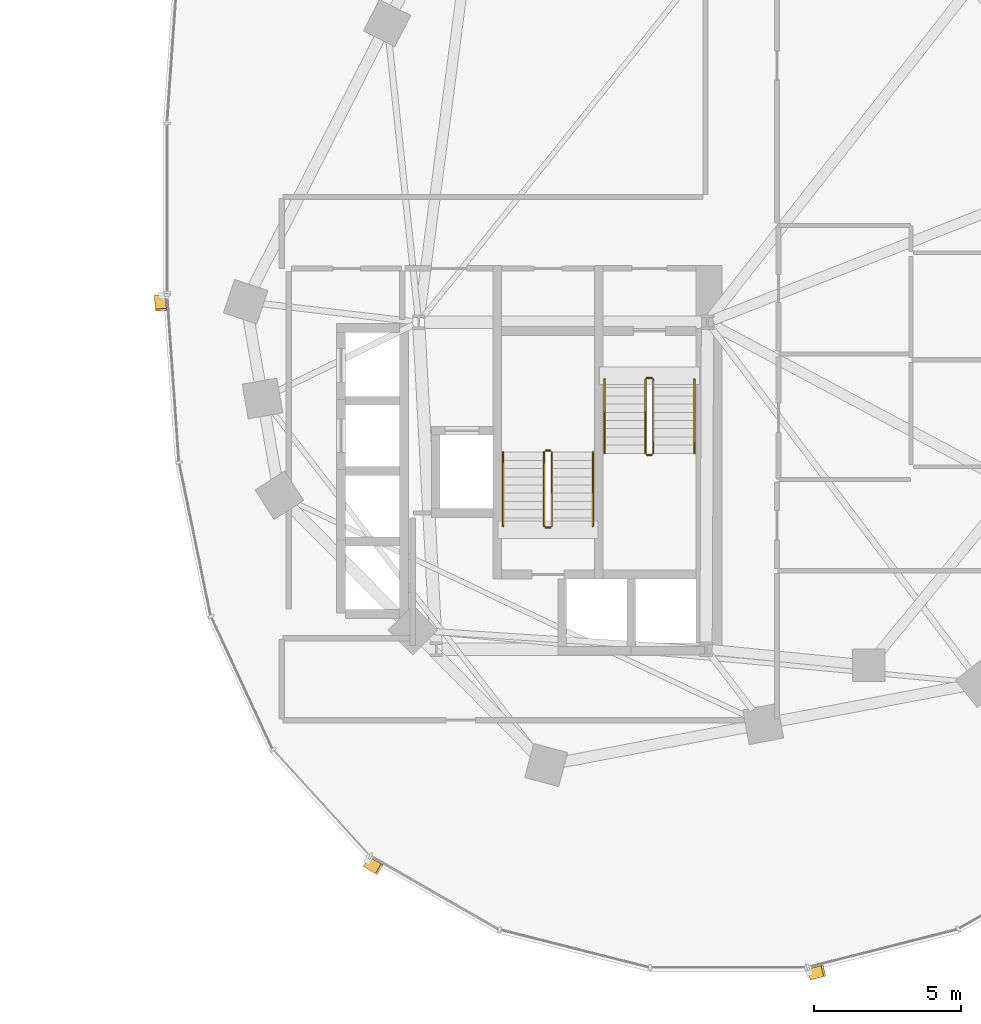
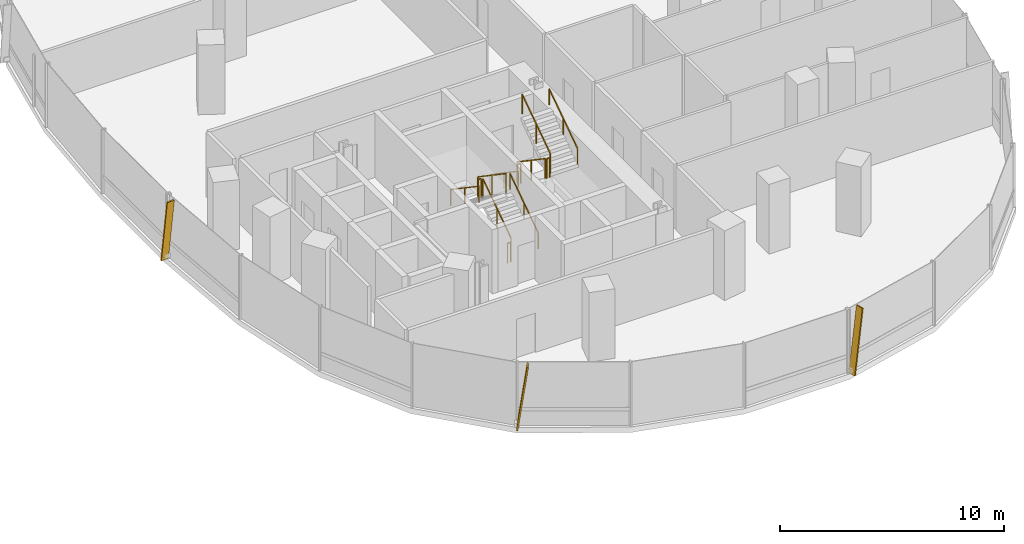
# One storey, part 20 of 21: 12 railings, 3 shading devices.
"""IFC4 building model written with IfcOpenShell, lengths in metres."""

from ifc_helpers import new_model, si_unit, direction, frame, origin, origin_2d, place, context, subcontext, project, spatial, rectangle, extrude, material, material_profile, profile_set, type_object, element, save


model = new_model("IFC4")

# Units and contexts
model_context = context("Model", 3, precision=1e-05, world=origin(), true_north=direction((0.0, 1.0)))
body_context = subcontext(model_context, "Body", "Model", "MODEL_VIEW")
ifc_project = project(units=[si_unit("LENGTHUNIT", "METRE"), si_unit("AREAUNIT", "SQUARE_METRE"), si_unit("VOLUMEUNIT", "CUBIC_METRE"), si_unit("PLANEANGLEUNIT", "RADIAN"), si_unit("MASSUNIT", "GRAM", prefix="KILO"), si_unit("THERMODYNAMICTEMPERATUREUNIT", "KELVIN"), si_unit("POWERUNIT", "WATT")], contexts=[model_context])

# Site, building, storey
site_placement = place(None, origin())
site = spatial("IfcSite", under=ifc_project, at=site_placement, CompositionType="ELEMENT")
building_placement = place(site_placement, origin())
building = spatial("IfcBuilding", under=site, at=building_placement, Name="Cundina Bronze Exchange", CompositionType="ELEMENT")
storey_placement = place(building_placement, frame((0.0, 0.0, 54.39990234375)))
storey = spatial("IfcBuildingStorey", under=building, at=storey_placement, Name="L13", CompositionType="ELEMENT", Elevation=54.39990234375)

# Railings
ifc_material_1 = material(Name="Steel ASTM A36 Painted", Category="steel")
railing_type_1 = type_object("IfcRailingType", Name="RLG-HND-900", PredefinedType="HANDRAIL", material=ifc_material_1)
railing_1_placement = place(storey_placement, frame((27.7900390625, -5.85009765625, 0.190185546875)))
element("IfcRailing", 1, at=railing_1_placement, inside=storey, type_object=railing_type_1, Name="L13 ST-E1 stair handrail 1", PredefinedType="HANDRAIL", context=body_context, shape_type="SweptSolid", body=[
    extrude(rectangle(XDim=0.048095703125, YDim=0.048095703125, at=origin_2d()), frame((0.0, 0.0, 0.8759765625), z_axis=(0.0, -0.827483756001, 0.561489655786), x_axis=(1.0, 0.0, 0.0)), (0.0, 0.0, 1.0), 3.04541015625),
    extrude(rectangle(XDim=0.0419921875, YDim=0.0419921875, at=origin_2d()), origin(), (0.0, 0.0, 1.0), 0.851806640625),
    extrude(rectangle(XDim=0.0419921875, YDim=0.0419921875, at=origin_2d()), frame((0.0, -1.260009765625, 0.85498046875)), (0.0, 0.0, 1.0), 0.851806640625),
    extrude(rectangle(XDim=0.0419921875, YDim=0.0419921875, at=origin_2d()), frame((0.0, -2.52001953125, 1.7099609375)), (0.0, 0.0, 1.0), 0.851806640625),
])
for number, where, name in (
    (2, (30.85009765625, -8.3701171875, 2.090087890625), "L13 ST-E1 stair handrail 2"),
    (3, (27.389892578125, -10.85009765625, 0.190185546875), "L13 ST-E2 stair handrail 1"),
):
    element("IfcRailing", number, at=place(storey_placement, frame(where)), inside=storey, type_object=railing_type_1, Name=name, PredefinedType="HANDRAIL", context=body_context, shape_type="SweptSolid", body=[
        extrude(rectangle(XDim=0.048095703125, YDim=0.048095703125, at=origin_2d()), frame((0.0, 0.0, 0.8759765625), z_axis=(0.0, 0.827483756001, 0.561489655786), x_axis=(-1.0, 0.0, 0.0)), (0.0, 0.0, 1.0), 3.04541015625),
        extrude(rectangle(XDim=0.0419921875, YDim=0.0419921875, at=origin_2d()), origin(), (0.0, 0.0, 1.0), 0.851806640625),
        extrude(rectangle(XDim=0.0419921875, YDim=0.0419921875, at=origin_2d()), frame((0.0, 1.260009765625, 0.85498046875)), (0.0, 0.0, 1.0), 0.851806640625),
        extrude(rectangle(XDim=0.0419921875, YDim=0.0419921875, at=origin_2d()), frame((0.0, 2.52001953125, 1.7099609375)), (0.0, 0.0, 1.0), 0.851806640625),
    ])
railing_2_placement = place(storey_placement, frame((24.330078125, -8.330078125, 2.090087890625)))
element("IfcRailing", 4, at=railing_2_placement, inside=storey, type_object=railing_type_1, Name="L13 ST-E2 stair handrail 2", PredefinedType="HANDRAIL", context=body_context, shape_type="SweptSolid", body=[
    extrude(rectangle(XDim=0.048095703125, YDim=0.048095703125, at=origin_2d()), frame((0.0, 0.0, 0.8759765625), z_axis=(0.0, -0.827483756001, 0.561489655786), x_axis=(1.0, 0.0, 0.0)), (0.0, 0.0, 1.0), 3.04541015625),
    extrude(rectangle(XDim=0.0419921875, YDim=0.0419921875, at=origin_2d()), origin(), (0.0, 0.0, 1.0), 0.851806640625),
    extrude(rectangle(XDim=0.0419921875, YDim=0.0419921875, at=origin_2d()), frame((0.0, -1.260009765625, 0.85498046875)), (0.0, 0.0, 1.0), 0.851806640625),
    extrude(rectangle(XDim=0.0419921875, YDim=0.0419921875, at=origin_2d()), frame((0.0, -2.52001953125, 1.7099609375)), (0.0, 0.0, 1.0), 0.851806640625),
])
railing_type_2 = type_object("IfcRailingType", Name="RLG-STG-1100", PredefinedType="GUARDRAIL", material=ifc_material_1)
railing_3_placement = place(storey_placement, frame((29.18994140625, -5.85009765625, 0.190185546875)))
element("IfcRailing", 5, at=railing_3_placement, inside=storey, type_object=railing_type_2, Name="L13 ST-E1 stair guard 1", PredefinedType="GUARDRAIL", context=body_context, shape_type="SweptSolid", body=[
    extrude(rectangle(XDim=0.048095703125, YDim=0.048095703125, at=origin_2d()), frame((0.0, 0.0, 1.076171875), z_axis=(0.0, -0.827483756001, 0.561489655786), x_axis=(1.0, 0.0, 0.0)), (0.0, 0.0, 1.0), 3.04541015625),
    extrude(rectangle(XDim=0.0419921875, YDim=0.0419921875, at=origin_2d()), origin(), (0.0, 0.0, 1.0), 1.052001953125),
    extrude(rectangle(XDim=0.0419921875, YDim=0.0419921875, at=origin_2d()), frame((0.0, -1.260009765625, 0.85498046875)), (0.0, 0.0, 1.0), 1.052001953125),
    extrude(rectangle(XDim=0.0419921875, YDim=0.0419921875, at=origin_2d()), frame((0.0, -2.52001953125, 1.7099609375)), (0.0, 0.0, 1.0), 1.052001953125),
])
railing_4_placement = place(storey_placement, frame((29.239990234375, -8.419921875, 1.900146484375)))
element("IfcRailing", 6, at=railing_4_placement, inside=storey, type_object=railing_type_2, Name="L13 ST-E1 stair guard 2", PredefinedType="GUARDRAIL", context=body_context, shape_type="SweptSolid", body=[
    extrude(rectangle(XDim=0.048095703125, YDim=0.048095703125, at=origin_2d()), frame((0.0, 0.0, 1.076171875), z_axis=(1.0, 0.0, 0.0), x_axis=(0.0, 1.0, 0.0)), (0.0, 0.0, 1.0), 0.159912109375),
    extrude(rectangle(XDim=0.0419921875, YDim=0.0419921875, at=origin_2d()), origin(), (0.0, 0.0, 1.0), 1.052001953125),
    extrude(rectangle(XDim=0.0419921875, YDim=0.0419921875, at=origin_2d()), frame((0.159912109375, 0.0, 0.0)), (0.0, 0.0, 1.0), 1.052001953125),
])
railing_5_placement = place(storey_placement, frame((29.449951171875, -8.3701171875, 2.090087890625)))
element("IfcRailing", 7, at=railing_5_placement, inside=storey, type_object=railing_type_2, Name="L13 ST-E1 stair guard 3", PredefinedType="GUARDRAIL", context=body_context, shape_type="SweptSolid", body=[
    extrude(rectangle(XDim=0.048095703125, YDim=0.048095703125, at=origin_2d()), frame((0.0, 0.0, 1.076171875), z_axis=(0.0, 0.827483756001, 0.561489655786), x_axis=(-1.0, 0.0, 0.0)), (0.0, 0.0, 1.0), 3.04541015625),
    extrude(rectangle(XDim=0.0419921875, YDim=0.0419921875, at=origin_2d()), origin(), (0.0, 0.0, 1.0), 1.052001953125),
    extrude(rectangle(XDim=0.0419921875, YDim=0.0419921875, at=origin_2d()), frame((0.0, 1.260009765625, 0.85498046875)), (0.0, 0.0, 1.0), 1.052001953125),
    extrude(rectangle(XDim=0.0419921875, YDim=0.0419921875, at=origin_2d()), frame((0.0, 2.52001953125, 1.7099609375)), (0.0, 0.0, 1.0), 1.052001953125),
])
railing_6_placement = place(storey_placement, frame((29.239990234375, -5.800048828125, 0.0)))
element("IfcRailing", 8, at=railing_6_placement, inside=storey, type_object=railing_type_2, Name="L13 ST-E1 stair guard 4", PredefinedType="GUARDRAIL", context=body_context, shape_type="SweptSolid", body=[
    extrude(rectangle(XDim=0.048095703125, YDim=0.048095703125, at=origin_2d()), frame((0.0, 0.0, 1.076171875), z_axis=(1.0, 0.0, 0.0), x_axis=(0.0, 1.0, 0.0)), (0.0, 0.0, 1.0), 0.159912109375),
    extrude(rectangle(XDim=0.0419921875, YDim=0.0419921875, at=origin_2d()), origin(), (0.0, 0.0, 1.0), 1.052001953125),
    extrude(rectangle(XDim=0.0419921875, YDim=0.0419921875, at=origin_2d()), frame((0.159912109375, 0.0, 0.0)), (0.0, 0.0, 1.0), 1.052001953125),
])
railing_7_placement = place(storey_placement, frame((25.989990234375, -10.85009765625, 0.190185546875)))
element("IfcRailing", 9, at=railing_7_placement, inside=storey, type_object=railing_type_2, Name="L13 ST-E2 stair guard 1", PredefinedType="GUARDRAIL", context=body_context, shape_type="SweptSolid", body=[
    extrude(rectangle(XDim=0.048095703125, YDim=0.048095703125, at=origin_2d()), frame((0.0, 0.0, 1.076171875), z_axis=(0.0, 0.827483756001, 0.561489655786), x_axis=(-1.0, 0.0, 0.0)), (0.0, 0.0, 1.0), 3.04541015625),
    extrude(rectangle(XDim=0.0419921875, YDim=0.0419921875, at=origin_2d()), origin(), (0.0, 0.0, 1.0), 1.052001953125),
    extrude(rectangle(XDim=0.0419921875, YDim=0.0419921875, at=origin_2d()), frame((0.0, 1.260009765625, 0.85498046875)), (0.0, 0.0, 1.0), 1.052001953125),
    extrude(rectangle(XDim=0.0419921875, YDim=0.0419921875, at=origin_2d()), frame((0.0, 2.52001953125, 1.7099609375)), (0.0, 0.0, 1.0), 1.052001953125),
])
railing_8_placement = place(storey_placement, frame((25.93994140625, -8.280029296875, 1.900146484375)))
element("IfcRailing", 10, at=railing_8_placement, inside=storey, type_object=railing_type_2, Name="L13 ST-E2 stair guard 2", PredefinedType="GUARDRAIL", context=body_context, shape_type="SweptSolid", body=[
    extrude(rectangle(XDim=0.048095703125, YDim=0.048095703125, at=origin_2d()), frame((0.0, 0.0, 1.076171875), z_axis=(-1.0, 0.0, 0.0), x_axis=(0.0, -1.0, 0.0)), (0.0, 0.0, 1.0), 0.159912109375),
    extrude(rectangle(XDim=0.0419921875, YDim=0.0419921875, at=origin_2d()), origin(), (0.0, 0.0, 1.0), 1.052001953125),
    extrude(rectangle(XDim=0.0419921875, YDim=0.0419921875, at=origin_2d()), frame((-0.159912109375, 0.0, 0.0)), (0.0, 0.0, 1.0), 1.052001953125),
])
railing_9_placement = place(storey_placement, frame((25.72998046875, -8.330078125, 2.090087890625)))
element("IfcRailing", 11, at=railing_9_placement, inside=storey, type_object=railing_type_2, Name="L13 ST-E2 stair guard 3", PredefinedType="GUARDRAIL", context=body_context, shape_type="SweptSolid", body=[
    extrude(rectangle(XDim=0.048095703125, YDim=0.048095703125, at=origin_2d()), frame((0.0, 0.0, 1.076171875), z_axis=(0.0, -0.827483756001, 0.561489655786), x_axis=(1.0, 0.0, 0.0)), (0.0, 0.0, 1.0), 3.04541015625),
    extrude(rectangle(XDim=0.0419921875, YDim=0.0419921875, at=origin_2d()), origin(), (0.0, 0.0, 1.0), 1.052001953125),
    extrude(rectangle(XDim=0.0419921875, YDim=0.0419921875, at=origin_2d()), frame((0.0, -1.260009765625, 0.85498046875)), (0.0, 0.0, 1.0), 1.052001953125),
    extrude(rectangle(XDim=0.0419921875, YDim=0.0419921875, at=origin_2d()), frame((0.0, -2.52001953125, 1.7099609375)), (0.0, 0.0, 1.0), 1.052001953125),
])
railing_10_placement = place(storey_placement, frame((25.93994140625, -10.89990234375, 0.0)))
element("IfcRailing", 12, at=railing_10_placement, inside=storey, type_object=railing_type_2, Name="L13 ST-E2 stair guard 4", PredefinedType="GUARDRAIL", context=body_context, shape_type="SweptSolid", body=[
    extrude(rectangle(XDim=0.048095703125, YDim=0.048095703125, at=origin_2d()), frame((0.0, 0.0, 1.076171875), z_axis=(-1.0, 0.0, 0.0), x_axis=(0.0, -1.0, 0.0)), (0.0, 0.0, 1.0), 0.159912109375),
    extrude(rectangle(XDim=0.0419921875, YDim=0.0419921875, at=origin_2d()), origin(), (0.0, 0.0, 1.0), 1.052001953125),
    extrude(rectangle(XDim=0.0419921875, YDim=0.0419921875, at=origin_2d()), frame((-0.159912109375, 0.0, 0.0)), (0.0, 0.0, 1.0), 1.052001953125),
])

# Shading devices
ifc_material_2 = material(Name="Anodised Bronze Aluminium 6063-T6", Category="aluminium")
ifc_material_profile = material_profile(ifc_material_2, rectangle(XDim=0.070068359375, YDim=0.3798828125, at=origin_2d()), Name="FIN70X380", Category="aluminium")
ifc_profile_set = profile_set([ifc_material_profile], Name="Anodised Bronze Aluminium 6063-T6")
shading_device_type = type_object("IfcShadingDeviceType", Name="SHD-FIN-BRZ380", PredefinedType="USERDEFINED", material=ifc_profile_set)
for number, where, z_axis, x_axis, name in (
    (13, (12.6259765625, -2.993896484375, 0.02001953125), (0.009645159174, -0.137059109714, 0.990515911709), (-0.06953288269, 0.988072340253, 0.137398066402), "L13 Diagonal Bronze Solar Fin 1"),
    (14, (19.685791015625, -22.314208984375, 0.02001953125), (0.119166378275, -0.06842456559, 0.990513731915), (-0.85898178632, 0.493221799887, 0.137413779831), "L13 Diagonal Bronze Solar Fin 5"),
    (15, (34.787353515625, -26.138427734375, 0.02001953125), (0.133214830938, 0.033688115694, 0.990514472221), (-0.960284642503, -0.242842181368, 0.137408443412), "L13 Diagonal Bronze Solar Fin 1"),
):
    element("IfcShadingDevice", number, at=place(storey_placement, frame(where, z_axis=z_axis, x_axis=x_axis)), inside=storey, type_object=shading_device_type, Name=name, ObjectType="FIN", PredefinedType="USERDEFINED", context=body_context, shape_type="SweptSolid", body=[
        extrude(rectangle(XDim=0.070068359375, YDim=0.3798828125, at=origin_2d()), origin(), (0.0, 0.0, 1.0), 3.4931640625),
    ])

save(model, "model.ifc")
